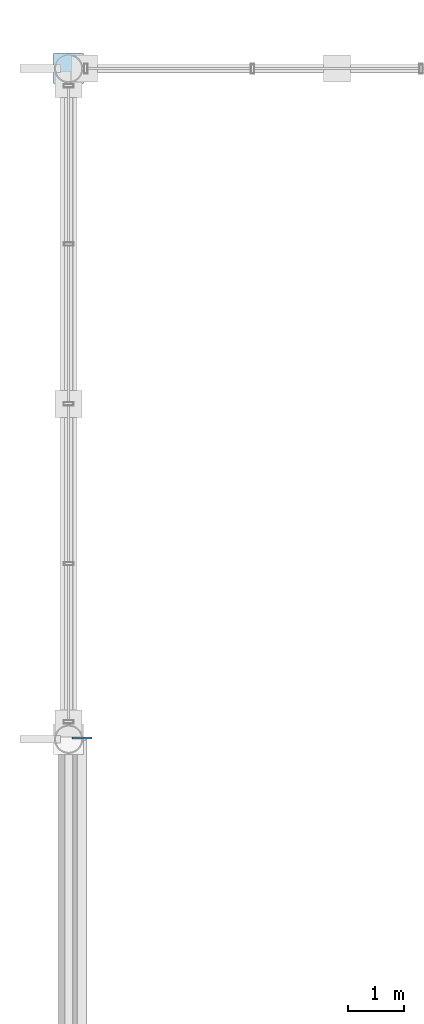
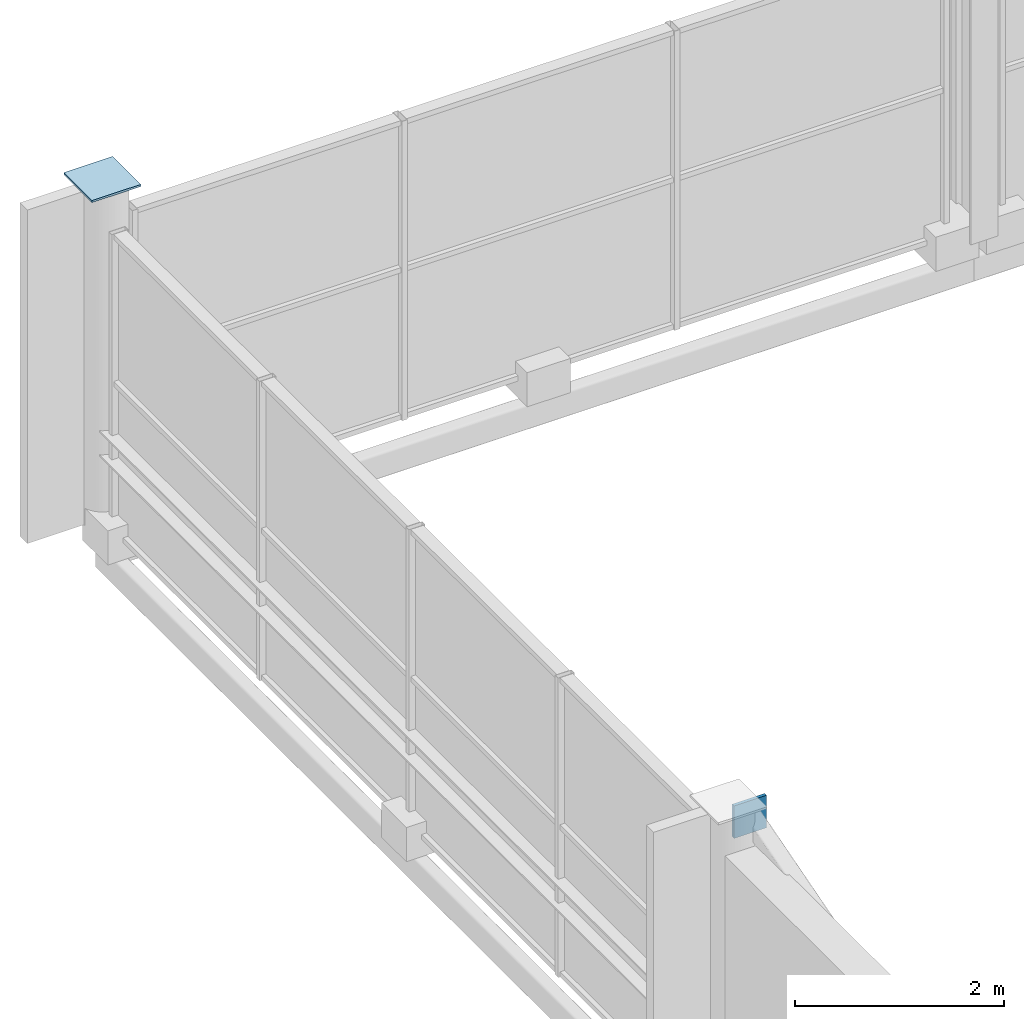
# One storey, part 103 of 117: 2 plates.
"""IFC4 building model written with IfcOpenShell, lengths in metres."""

import ifcopenshell
import ifcopenshell.guid

model = None  # the IFC model being written
_history = None  # IfcOwnerHistory: only IFC2X3 demands one
_inside = {}  # id of a spatial element -> (the spatial element, [elements in it])
_under = {}  # id of a project, library or spatial element -> (it, [spatial elements below it])
_declared = {}  # id of a project -> (the project, [libraries it declares])
_typed = {}  # id of a type object -> (the type object, [elements of that type])
_made_of = {}  # id of a material, layer set ... -> (it, [elements and type objects made of it])


def new_model(schema):
    """Start an empty IFC model of exactly this schema.

    Asked for "IFC4X3", IfcOpenShell would pick the latest addendum, in which some entities
    have other attributes; the version numbers below select the first issue.
    IFC2X3 requires an IfcOwnerHistory on every rooted entity: one is made here for all.
    """
    global model, _history
    if schema == "IFC4X3":
        model = ifcopenshell.file(schema_version=(4, 3, 0, 0))
    else:
        model = ifcopenshell.file(schema=schema)
    _inside.clear()
    _under.clear()
    _declared.clear()
    _typed.clear()
    _made_of.clear()
    _history = None
    if model.schema == "IFC2X3":
        org = make("IfcOrganization", Name="unknown")
        user = make(
            "IfcPersonAndOrganization",
            ThePerson=make("IfcPerson", FamilyName="unknown"),
            TheOrganization=org,
        )
        app = make(
            "IfcApplication",
            ApplicationDeveloper=org,
            Version="unknown",
            ApplicationFullName="unknown",
            ApplicationIdentifier="unknown",
        )
        _history = make(
            "IfcOwnerHistory",
            OwningUser=user,
            OwningApplication=app,
            ChangeAction="ADDED",
            CreationDate=0,
        )
    return model


def make(cls, **values):
    """One entity of the class cls with the attributes given. An attribute that is None is left unset."""
    return model.create_entity(
        cls, **{name: value for name, value in values.items() if value is not None}
    )


def rooted(cls, **values):
    """An entity with a GlobalId (a new one), such as an element, a storey or a relation."""
    return make(cls, GlobalId=ifcopenshell.guid.new(), OwnerHistory=_history, **values)


def si_unit(unit_type, name, prefix=None):
    """IfcSIUnit, for example si_unit("LENGTHUNIT", "METRE", prefix="MILLI")."""
    return make("IfcSIUnit", UnitType=unit_type, Prefix=prefix, Name=name)


def assignment(units):
    """IfcUnitAssignment: the units of a project."""
    return None if units is None else make("IfcUnitAssignment", Units=units)


def point(xyz):
    """IfcCartesianPoint."""
    return None if xyz is None else make("IfcCartesianPoint", Coordinates=xyz)


def direction(xyz):
    """IfcDirection."""
    return None if xyz is None else make("IfcDirection", DirectionRatios=xyz)


def frame(location, z_axis=None, x_axis=None):
    """IfcAxis2Placement3D, a coordinate frame: its origin and axes. An axis left out is left unset."""
    return make(
        "IfcAxis2Placement3D",
        Location=point(location),
        Axis=direction(z_axis),
        RefDirection=direction(x_axis),
    )


def frame_2d(location, x_axis=None):
    """IfcAxis2Placement2D, a coordinate frame in the plane: its origin and x axis."""
    return make(
        "IfcAxis2Placement2D", Location=point(location), RefDirection=direction(x_axis)
    )


def origin():
    """The frame at (0, 0, 0) with its axes left unset."""
    return frame((0.0, 0.0, 0.0))


def origin_2d():
    """The frame at (0, 0) in the plane with its x axis left unset."""
    return frame_2d((0.0, 0.0))


def place(relative_to, where):
    """IfcLocalPlacement: puts the frame where relative to a parent placement (None: the world)."""
    return make(
        "IfcLocalPlacement", PlacementRelTo=relative_to, RelativePlacement=where
    )


def context(
    kind, dimensions, precision=None, world=None, true_north=None, identifier=None
):
    """IfcGeometricRepresentationContext, for example the 3D "Model" context."""
    return make(
        "IfcGeometricRepresentationContext",
        ContextIdentifier=identifier,
        ContextType=kind,
        CoordinateSpaceDimension=dimensions,
        Precision=precision,
        WorldCoordinateSystem=world,
        TrueNorth=true_north,
    )


def subcontext(parent, identifier, kind, view, scale=None):
    """IfcGeometricRepresentationSubContext, for example "Body" below "Model"."""
    return make(
        "IfcGeometricRepresentationSubContext",
        ContextIdentifier=identifier,
        ContextType=kind,
        ParentContext=parent,
        TargetScale=scale,
        TargetView=view,
    )


def project(units=None, contexts=None):
    """IfcProject with its units and contexts."""
    return rooted(
        "IfcProject",
        Name="project",
        RepresentationContexts=contexts,
        UnitsInContext=assignment(units),
    )


def spatial(cls, under=None, at=None, **own):
    """A site, building, storey or space (cls), placed at a placement, below another one or the project."""
    s = rooted(cls, ObjectPlacement=at, **own)
    if under is not None:
        _under.setdefault(under.id(), (under, []))[1].append(s)
    return s


def profile(cls, at=None, kind="AREA", **sizes):
    """A parametric profile (cls). Its sizes go by their IFC names, for example OverallWidth=200.0."""
    return make(cls, ProfileType=kind, Position=at, **sizes)


def rectangle(**sizes):
    """IfcRectangleProfileDef."""
    return profile("IfcRectangleProfileDef", **sizes)


def extrude(swept, where, along, depth):
    """IfcExtrudedAreaSolid: the profile swept, set in the frame where, extruded along a direction by depth."""
    return make(
        "IfcExtrudedAreaSolid",
        SweptArea=swept,
        Position=where,
        ExtrudedDirection=direction(along),
        Depth=depth,
    )


def shape(context_of_items, identifier, shape_type, items):
    """IfcShapeRepresentation: the items that make up one representation, for example the "Body"."""
    return make(
        "IfcShapeRepresentation",
        ContextOfItems=context_of_items,
        RepresentationIdentifier=identifier,
        RepresentationType=shape_type,
        Items=items,
    )


def material(Name=None, Category=None):
    """IfcMaterial."""
    return make("IfcMaterial", Name=Name, Category=Category)


def layer(
    of_material, thickness, ventilated=None, Name=None, Category=None, Priority=None
):
    """IfcMaterialLayer: one layer of a wall or slab, of a material (None: an air gap)."""
    return make(
        "IfcMaterialLayer",
        Material=of_material,
        LayerThickness=thickness,
        IsVentilated=ventilated,
        Name=Name,
        Category=Category,
        Priority=Priority,
    )


def layer_set(layers, Name=None):
    """IfcMaterialLayerSet."""
    return make("IfcMaterialLayerSet", MaterialLayers=layers, LayerSetName=Name)


def made_of(thing, what):
    """Note that an element or type object is made of a material, layer set ...; save() writes the relation."""
    if what is not None:
        _made_of.setdefault(what.id(), (what, []))[1].append(thing)
    return thing


def type_object(cls, material=None, **own):
    """A type object (cls), such as IfcWallType, which elements share."""
    return made_of(rooted(cls, **own), material)


def element(
    cls,
    number,
    at=None,
    inside=None,
    cuts=None,
    type_object=None,
    material=None,
    context=None,
    identifier="Body",
    shape_type=None,
    held_by="IfcProductDefinitionShape",
    body=None,
    shapes=None,
    **own,
):
    """One element of the class cls, such as IfcWall. Its Tag is "e" and its number.

    at: its placement. inside: the storey or other place that contains it. cuts: it is an
    opening in that element (IfcRelVoidsElement). A single representation is given by context,
    identifier, shape_type and body (its items); several are given by shapes. held_by: the class
    of the entity that holds the representations. save() writes the other relations.
    """
    e = rooted(cls, Tag="e%d" % number, ObjectPlacement=at, **own)
    if body is not None:
        shapes = [shape(context, identifier, shape_type, body)]
    if shapes is not None:
        e.Representation = make(held_by, Representations=shapes)
    if inside is not None:
        _inside.setdefault(inside.id(), (inside, []))[1].append(e)
    if cuts is not None:
        rooted(
            "IfcRelVoidsElement", RelatingBuildingElement=cuts, RelatedOpeningElement=e
        )
    if type_object is not None:
        _typed.setdefault(type_object.id(), (type_object, []))[1].append(e)
    return made_of(e, material)


def aggregate(whole, parts):
    """IfcRelAggregates: a whole, such as a stair, and the parts it consists of."""
    return rooted("IfcRelAggregates", RelatingObject=whole, RelatedObjects=parts)


def save(model, path):
    """Write the relations noted so far, then the file.

    IfcRelAggregates (storeys below a building ...), IfcRelContainedInSpatialStructure (elements
    in a storey), IfcRelDefinesByType, IfcRelAssociatesMaterial and IfcRelDeclares: one each for
    every whole, place, type object, material and project.
    """
    for whole, parts in _under.values():
        aggregate(whole, parts)
    for where, things in _inside.values():
        rooted(
            "IfcRelContainedInSpatialStructure",
            RelatedElements=things,
            RelatingStructure=where,
        )
    for kind, things in _typed.values():
        rooted("IfcRelDefinesByType", RelatedObjects=things, RelatingType=kind)
    for what, things in _made_of.values():
        rooted("IfcRelAssociatesMaterial", RelatedObjects=things, RelatingMaterial=what)
    for by, libraries in _declared.values():
        rooted("IfcRelDeclares", RelatingContext=by, RelatedDefinitions=libraries)
    model.write(path)


model = new_model("IFC4")

# Units and contexts
model_context = context("Model", 3, precision=1e-05, world=origin(), true_north=direction((0.0, 1.0)))
body_context = subcontext(model_context, "Body", "Model", "MODEL_VIEW")
ifc_project = project(units=[si_unit("LENGTHUNIT", "METRE"), si_unit("AREAUNIT", "SQUARE_METRE"), si_unit("VOLUMEUNIT", "CUBIC_METRE"), si_unit("PLANEANGLEUNIT", "RADIAN"), si_unit("MASSUNIT", "GRAM", prefix="KILO")], contexts=[model_context])

# Site, building, storey
site_placement = place(None, origin())
site = spatial("IfcSite", under=ifc_project, at=site_placement, CompositionType="ELEMENT")
building_placement = place(site_placement, origin())
building = spatial("IfcBuilding", under=site, at=building_placement, Name="Merenkruunu Market Hall", CompositionType="ELEMENT")
storey_placement = place(building_placement, frame((0.0, 0.0, 10.199951171875)))
storey = spatial("IfcBuildingStorey", under=building, at=storey_placement, Name="L02", CompositionType="ELEMENT", Elevation=10.199951171875)

# Plates
ifc_material = material(Name="Steel S355ML", Category="steel")
ifc_layer_1 = layer(ifc_material, 0.02392578125)
ifc_layer_set_1 = layer_set([ifc_layer_1], Name="Steel S355ML")
plate_type_1 = type_object("IfcPlateType", Name="Truss Gusset Or Cap Plate CP03", PredefinedType="USERDEFINED", material=ifc_layer_set_1)
plate_1_placement = place(storey_placement, frame((0.0, 111.60009765625, 3.898193359375), z_axis=(0.0, 0.0, 1.0), x_axis=(1.0, 0.0, 0.0)))
element("IfcPlate", 1, at=plate_1_placement, inside=storey, type_object=plate_type_1, Name="PLT-CAP-011", ObjectType="GUSSET_PLATE", PredefinedType="USERDEFINED", context=body_context, shape_type="SweptSolid", body=[
    extrude(rectangle(XDim=0.5400390625, YDim=0.5400390625, at=origin_2d()), origin(), (0.0, 0.0, 1.0), 0.02392578125),
])
ifc_layer_2 = layer(ifc_material, 0.035888671875)
ifc_layer_set_2 = layer_set([ifc_layer_2], Name="Steel S355ML")
plate_type_2 = type_object("IfcPlateType", Name="Truss Gusset Or Cap Plate CP08", PredefinedType="USERDEFINED", material=ifc_layer_set_2)
plate_2_placement = place(storey_placement, frame((0.239990234375, 99.617919921875, 3.460205078125), z_axis=(0.0, 0.0, 1.0), x_axis=(1.0, 0.0, 0.0)))
element("IfcPlate", 2, at=plate_2_placement, inside=storey, type_object=plate_type_2, Name="PLT-CBF11-B", ObjectType="GUSSET_PLATE", PredefinedType="USERDEFINED", context=body_context, shape_type="SweptSolid", body=[
    extrude(rectangle(XDim=0.360107421875, YDim=0.035888671875, at=origin_2d()), origin(), (0.0, 0.0, 1.0), 0.3798828125),
])

save(model, "model.ifc")
